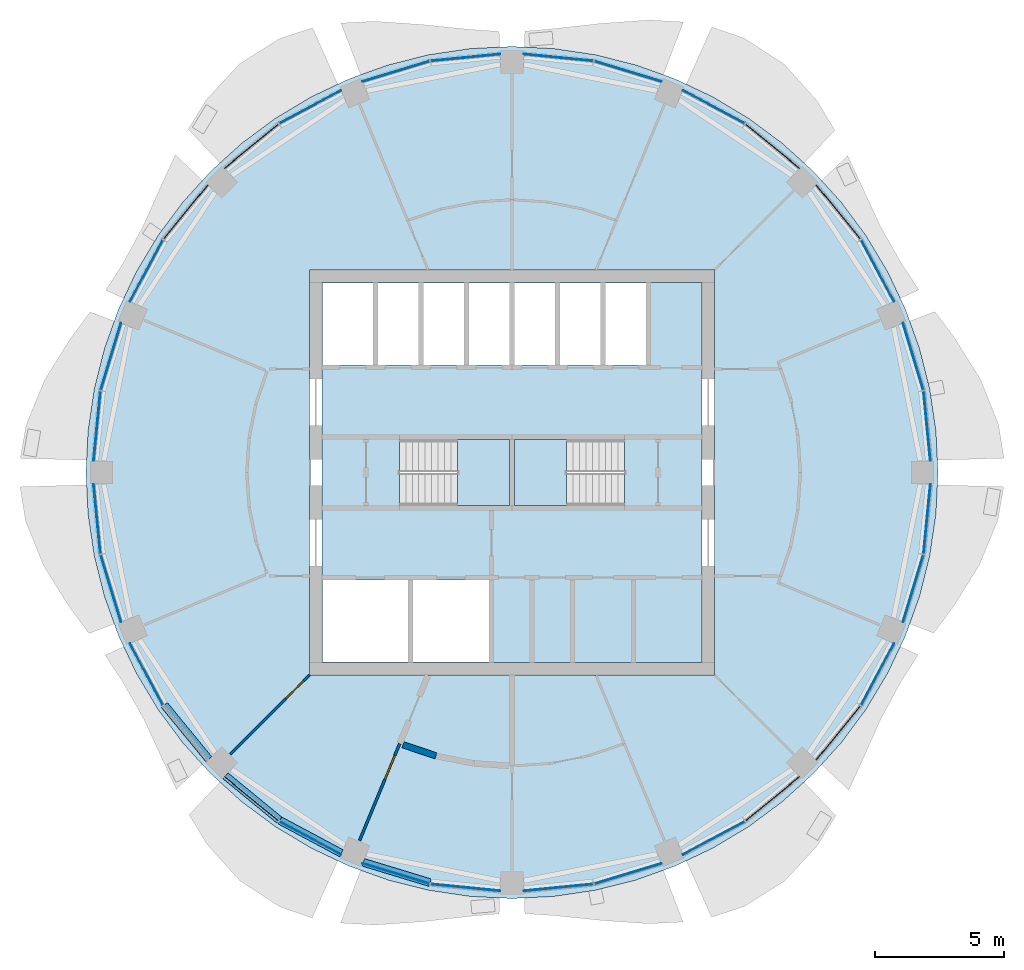
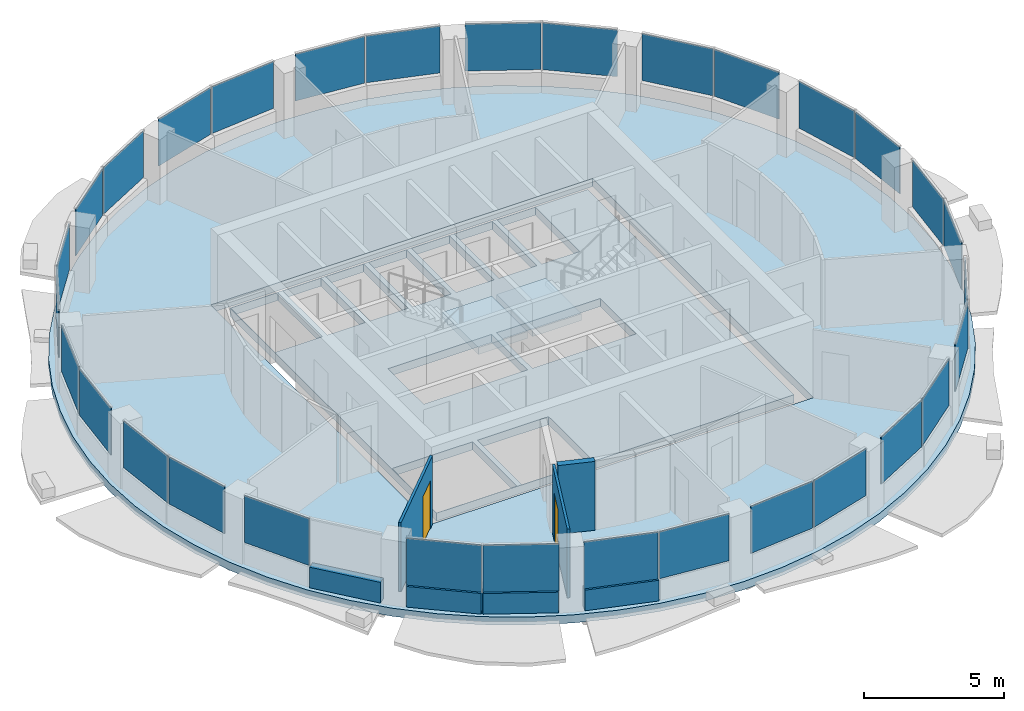
# One storey, part 7 of 15: 31 plates, 7 walls, 4 slabs, 2 doors, 2 openings, 18 elements without a shape of their own.
"""IFC4 building model written with IfcOpenShell, lengths in metres."""

from ifc_helpers import new_model, si_unit, direction, frame, frame_2d, origin, origin_2d, place, context, subcontext, project, spatial, polyline, rectangle, outline, extrude, material, layer, layer_set, type_object, element, fill, aggregate, save


model = new_model("IFC4")

# Units and contexts
model_context = context("Model", 3, precision=1e-05, world=origin(), true_north=direction((0.0, 1.0)))
body_context = subcontext(model_context, "Body", "Model", "MODEL_VIEW")
ifc_project = project(units=[si_unit("LENGTHUNIT", "METRE"), si_unit("AREAUNIT", "SQUARE_METRE"), si_unit("VOLUMEUNIT", "CUBIC_METRE"), si_unit("PLANEANGLEUNIT", "RADIAN"), si_unit("MASSUNIT", "GRAM", prefix="KILO")], contexts=[model_context])

# Site, building, storey
site_placement = place(None, origin())
site = spatial("IfcSite", under=ifc_project, at=site_placement, CompositionType="ELEMENT")
building_placement = place(site_placement, origin())
building = spatial("IfcBuilding", under=site, at=building_placement, Name="Polderwave Tower", CompositionType="ELEMENT")
storey_placement = place(building_placement, frame((0.0, 0.0, 211.10009765625)))
storey = spatial("IfcBuildingStorey", under=building, at=storey_placement, Name="L57", CompositionType="ELEMENT", Elevation=211.10009765625)

# Slab
ifc_material_1 = material(Name="Concrete C40/50", Category="concrete")
ifc_layer_1 = layer(ifc_material_1, 0.35009765625)
ifc_layer_set_1 = layer_set([ifc_layer_1], Name="Core floor slab 350")
slab_type_1 = type_object("IfcSlabType", Name="Core floor slab 350", PredefinedType="FLOOR", material=ifc_layer_set_1)
slab_1_placement = place(storey_placement, frame((0.0, 0.0, -0.35009765625)))
element("IfcSlab", 1, at=slab_1_placement, inside=storey, type_object=slab_type_1, Name="L57 core floor", PredefinedType="FLOOR", context=body_context, shape_type="SweptSolid", body=[
    extrude(outline(polyline([(-7.3740234375, -7.3740234375), (7.3740234375, -7.3740234375), (7.3740234375, 7.3740234375), (-7.3740234375, 7.3740234375), (-7.3740234375, -7.3740234375)]), holes=[polyline([(-7.35400390625, -7.35400390625), (-4.037109375, -7.35400390625), (-4.037109375, -4.174072265625), (-7.35400390625, -4.174072265625), (-7.35400390625, -7.35400390625)]), polyline([(-3.8369140625, -7.35400390625), (-0.89990234375, -7.35400390625), (-0.89990234375, -4.174072265625), (-3.8369140625, -4.174072265625), (-3.8369140625, -7.35400390625)]), polyline([(-7.35400390625, 4.174072265625), (-5.405517578125, 4.174072265625), (-5.405517578125, 7.35400390625), (-7.35400390625, 7.35400390625), (-7.35400390625, 4.174072265625)]), polyline([(-5.20556640625, 4.174072265625), (-3.636962890625, 4.174072265625), (-3.636962890625, 7.35400390625), (-5.20556640625, 7.35400390625), (-5.20556640625, 4.174072265625)]), polyline([(-3.43701171875, 4.174072265625), (-1.868408203125, 4.174072265625), (-1.868408203125, 7.35400390625), (-3.43701171875, 7.35400390625), (-3.43701171875, 4.174072265625)]), polyline([(-1.66845703125, 4.174072265625), (-0.10009765625, 4.174072265625), (-0.10009765625, 7.35400390625), (-1.66845703125, 7.35400390625), (-1.66845703125, 4.174072265625)]), polyline([(0.10009765625, 4.174072265625), (1.66845703125, 4.174072265625), (1.66845703125, 7.35400390625), (0.10009765625, 7.35400390625), (0.10009765625, 4.174072265625)]), polyline([(1.868408203125, 4.174072265625), (3.43701171875, 4.174072265625), (3.43701171875, 7.35400390625), (1.868408203125, 7.35400390625), (1.868408203125, 4.174072265625)]), polyline([(3.636962890625, 4.174072265625), (5.20556640625, 4.174072265625), (5.20556640625, 7.35400390625), (3.636962890625, 7.35400390625), (3.636962890625, 4.174072265625)]), polyline([(-4.37353515625, -1.2744140625), (-0.1005859375, -1.2744140625), (-0.1005859375, 1.2744140625), (-4.37353515625, 1.2744140625), (-4.37353515625, -1.2744140625)]), polyline([(0.1005859375, -1.2744140625), (4.37353515625, -1.2744140625), (4.37353515625, 1.2744140625), (0.1005859375, 1.2744140625), (0.1005859375, -1.2744140625)])]), origin(), (0.0, 0.0, 1.0), 0.35009765625),
])

# Curtain wall, plates
ifc_material_2 = material(Name="Aluminium 6063-T6 and glass", Category="aluminium")
curtain_wall_type = type_object("IfcCurtainWallType", Name="Office ribbon glazing wall", PredefinedType="NOTDEFINED", material=ifc_material_2)
curtain_wall_1_placement = place(storey_placement, origin())
curtain_wall_1 = element("IfcCurtainWall", 2, at=curtain_wall_1_placement, inside=storey, type_object=curtain_wall_type, Name="CW3 L57 00", PredefinedType="NOTDEFINED")
ifc_material_3 = material(Name="Glass, low-e laminated double glazing", Category="glass")
ifc_layer_2 = layer(ifc_material_3, 0.031982421875)
ifc_layer_set_2 = layer_set([ifc_layer_2], Name="Office ribbon glazing glass panel 32 mm")
plate_type = type_object("IfcPlateType", Name="Office ribbon glazing glass panel 32 mm", PredefinedType="CURTAIN_PANEL", material=ifc_layer_set_2)
plate_1_placement = place(storey_placement, frame((16.122802734375, 1.80126953125, 0.89990234375), z_axis=(0.0, 0.0, 1.0), x_axis=(-0.098060563362, 0.99518044892, 0.0)))
plate_1 = element("IfcPlate", 3, at=plate_1_placement, type_object=plate_type, Name="CW3 panel 1", PredefinedType="CURTAIN_PANEL", context=body_context, shape_type="SweptSolid", body=[
    extrude(rectangle(XDim=2.7158203125, YDim=0.031982421875, at=origin_2d()), origin(), (0.0, 0.0, 1.0), 2.0400390625),
])
plate_2_placement = place(storey_placement, frame((15.58447265625, 4.505615234375, 0.89990234375), z_axis=(0.0, 0.0, 1.0), x_axis=(-0.290523503373, 0.956867856074, 0.0)))
plate_2 = element("IfcPlate", 4, at=plate_2_placement, type_object=plate_type, Name="CW3 panel 2", PredefinedType="CURTAIN_PANEL", context=body_context, shape_type="SweptSolid", body=[
    extrude(rectangle(XDim=2.7158203125, YDim=0.031982421875, at=origin_2d()), origin(), (0.0, 0.0, 1.0), 2.0400390625),
])
aggregate(curtain_wall_1, [plate_1, plate_2])

curtain_wall_2_placement = place(storey_placement, origin())
curtain_wall_2 = element("IfcCurtainWall", 5, at=curtain_wall_2_placement, inside=storey, type_object=curtain_wall_type, Name="CW3 L57 01", PredefinedType="NOTDEFINED")
plate_3_placement = place(storey_placement, frame((14.2060546875, 7.83447265625, 0.89990234375), z_axis=(0.0, 0.0, 1.0), x_axis=(-0.471401354548, 0.881918796109, 0.0)))
plate_3 = element("IfcPlate", 6, at=plate_3_placement, type_object=plate_type, Name="CW3 panel 1", PredefinedType="CURTAIN_PANEL", context=body_context, shape_type="SweptSolid", body=[
    extrude(rectangle(XDim=2.71533203125, YDim=0.031982421875, at=origin_2d()), origin(), (0.0, 0.0, 1.0), 2.0400390625),
])
plate_4_placement = place(storey_placement, frame((12.67431640625, 10.126708984375, 0.89990234375), z_axis=(0.0, 0.0, 1.0), x_axis=(-0.634428361612, 0.772981664713, 0.0)))
plate_4 = element("IfcPlate", 7, at=plate_4_placement, type_object=plate_type, Name="CW3 panel 2", PredefinedType="CURTAIN_PANEL", context=body_context, shape_type="SweptSolid", body=[
    extrude(rectangle(XDim=2.715087890625, YDim=0.031982421875, at=origin_2d()), origin(), (0.0, 0.0, 1.0), 2.0400390625),
])
aggregate(curtain_wall_2, [plate_3, plate_4])

curtain_wall_3_placement = place(storey_placement, origin())
curtain_wall_3 = element("IfcCurtainWall", 8, at=curtain_wall_3_placement, inside=storey, type_object=curtain_wall_type, Name="CW3 L57 02", PredefinedType="NOTDEFINED")
plate_5_placement = place(storey_placement, frame((10.126708984375, 12.67431640625, 0.89990234375), z_axis=(0.0, 0.0, 1.0), x_axis=(-0.772981664713, 0.634428361612, 0.0)))
plate_5 = element("IfcPlate", 9, at=plate_5_placement, type_object=plate_type, Name="CW3 panel 1", PredefinedType="CURTAIN_PANEL", context=body_context, shape_type="SweptSolid", body=[
    extrude(rectangle(XDim=2.715087890625, YDim=0.031982421875, at=origin_2d()), origin(), (0.0, 0.0, 1.0), 2.0400390625),
])
plate_6_placement = place(storey_placement, frame((7.83447265625, 14.2060546875, 0.89990234375), z_axis=(0.0, 0.0, 1.0), x_axis=(-0.881918796109, 0.471401354548, 0.0)))
plate_6 = element("IfcPlate", 10, at=plate_6_placement, type_object=plate_type, Name="CW3 panel 2", PredefinedType="CURTAIN_PANEL", context=body_context, shape_type="SweptSolid", body=[
    extrude(rectangle(XDim=2.71533203125, YDim=0.031982421875, at=origin_2d()), origin(), (0.0, 0.0, 1.0), 2.0400390625),
])
aggregate(curtain_wall_3, [plate_5, plate_6])

curtain_wall_4_placement = place(storey_placement, origin())
curtain_wall_4 = element("IfcCurtainWall", 11, at=curtain_wall_4_placement, inside=storey, type_object=curtain_wall_type, Name="CW3 L57 03", PredefinedType="NOTDEFINED")
plate_7_placement = place(storey_placement, frame((4.505615234375, 15.58447265625, 0.89990234375), z_axis=(0.0, 0.0, 1.0), x_axis=(-0.956867856074, 0.290523503373, 0.0)))
plate_7 = element("IfcPlate", 12, at=plate_7_placement, type_object=plate_type, Name="CW3 panel 1", PredefinedType="CURTAIN_PANEL", context=body_context, shape_type="SweptSolid", body=[
    extrude(rectangle(XDim=2.7158203125, YDim=0.031982421875, at=origin_2d()), origin(), (0.0, 0.0, 1.0), 2.0400390625),
])
plate_8_placement = place(storey_placement, frame((1.80126953125, 16.122802734375, 0.89990234375), z_axis=(0.0, 0.0, 1.0), x_axis=(-0.99518044892, 0.098060563362, 0.0)))
plate_8 = element("IfcPlate", 13, at=plate_8_placement, type_object=plate_type, Name="CW3 panel 2", PredefinedType="CURTAIN_PANEL", context=body_context, shape_type="SweptSolid", body=[
    extrude(rectangle(XDim=2.7158203125, YDim=0.031982421875, at=origin_2d()), origin(), (0.0, 0.0, 1.0), 2.0400390625),
])
aggregate(curtain_wall_4, [plate_7, plate_8])

curtain_wall_5_placement = place(storey_placement, origin())
curtain_wall_5 = element("IfcCurtainWall", 14, at=curtain_wall_5_placement, inside=storey, type_object=curtain_wall_type, Name="CW3 L57 04", PredefinedType="NOTDEFINED")
plate_9_placement = place(storey_placement, frame((-1.80126953125, 16.122802734375, 0.89990234375), z_axis=(0.0, 0.0, 1.0), x_axis=(-0.99518044892, -0.098060563362, 0.0)))
plate_9 = element("IfcPlate", 15, at=plate_9_placement, type_object=plate_type, Name="CW3 panel 1", PredefinedType="CURTAIN_PANEL", context=body_context, shape_type="SweptSolid", body=[
    extrude(rectangle(XDim=2.7158203125, YDim=0.031982421875, at=origin_2d()), origin(), (0.0, 0.0, 1.0), 2.0400390625),
])
plate_10_placement = place(storey_placement, frame((-4.505615234375, 15.58447265625, 0.89990234375), z_axis=(0.0, 0.0, 1.0), x_axis=(-0.956867856074, -0.290523503373, 0.0)))
plate_10 = element("IfcPlate", 16, at=plate_10_placement, type_object=plate_type, Name="CW3 panel 2", PredefinedType="CURTAIN_PANEL", context=body_context, shape_type="SweptSolid", body=[
    extrude(rectangle(XDim=2.7158203125, YDim=0.031982421875, at=origin_2d()), origin(), (0.0, 0.0, 1.0), 2.0400390625),
])
aggregate(curtain_wall_5, [plate_9, plate_10])

curtain_wall_6_placement = place(storey_placement, origin())
curtain_wall_6 = element("IfcCurtainWall", 17, at=curtain_wall_6_placement, inside=storey, type_object=curtain_wall_type, Name="CW3 L57 05", PredefinedType="NOTDEFINED")
plate_11_placement = place(storey_placement, frame((-7.83447265625, 14.2060546875, 0.89990234375), z_axis=(0.0, 0.0, 1.0), x_axis=(-0.881918796109, -0.471401354548, 0.0)))
plate_11 = element("IfcPlate", 18, at=plate_11_placement, type_object=plate_type, Name="CW3 panel 1", PredefinedType="CURTAIN_PANEL", context=body_context, shape_type="SweptSolid", body=[
    extrude(rectangle(XDim=2.71533203125, YDim=0.031982421875, at=origin_2d()), origin(), (0.0, 0.0, 1.0), 2.0400390625),
])
plate_12_placement = place(storey_placement, frame((-10.126708984375, 12.67431640625, 0.89990234375), z_axis=(0.0, 0.0, 1.0), x_axis=(-0.772981664713, -0.634428361612, 0.0)))
plate_12 = element("IfcPlate", 19, at=plate_12_placement, type_object=plate_type, Name="CW3 panel 2", PredefinedType="CURTAIN_PANEL", context=body_context, shape_type="SweptSolid", body=[
    extrude(rectangle(XDim=2.715087890625, YDim=0.031982421875, at=origin_2d()), origin(), (0.0, 0.0, 1.0), 2.0400390625),
])
aggregate(curtain_wall_6, [plate_11, plate_12])

curtain_wall_7_placement = place(storey_placement, origin())
curtain_wall_7 = element("IfcCurtainWall", 20, at=curtain_wall_7_placement, inside=storey, type_object=curtain_wall_type, Name="CW3 L57 06", PredefinedType="NOTDEFINED")
plate_13_placement = place(storey_placement, frame((-12.67431640625, 10.126708984375, 0.89990234375), z_axis=(0.0, 0.0, 1.0), x_axis=(-0.634428361612, -0.772981664713, 0.0)))
plate_13 = element("IfcPlate", 21, at=plate_13_placement, type_object=plate_type, Name="CW3 panel 1", PredefinedType="CURTAIN_PANEL", context=body_context, shape_type="SweptSolid", body=[
    extrude(rectangle(XDim=2.715087890625, YDim=0.031982421875, at=origin_2d()), origin(), (0.0, 0.0, 1.0), 2.0400390625),
])
plate_14_placement = place(storey_placement, frame((-14.2060546875, 7.83447265625, 0.89990234375), z_axis=(0.0, 0.0, 1.0), x_axis=(-0.471401354548, -0.881918796109, 0.0)))
plate_14 = element("IfcPlate", 22, at=plate_14_placement, type_object=plate_type, Name="CW3 panel 2", PredefinedType="CURTAIN_PANEL", context=body_context, shape_type="SweptSolid", body=[
    extrude(rectangle(XDim=2.71533203125, YDim=0.031982421875, at=origin_2d()), origin(), (0.0, 0.0, 1.0), 2.0400390625),
])
aggregate(curtain_wall_7, [plate_13, plate_14])

curtain_wall_8_placement = place(storey_placement, origin())
curtain_wall_8 = element("IfcCurtainWall", 23, at=curtain_wall_8_placement, inside=storey, type_object=curtain_wall_type, Name="CW3 L57 07", PredefinedType="NOTDEFINED")
plate_15_placement = place(storey_placement, frame((-15.58447265625, 4.505615234375, 0.89990234375), z_axis=(0.0, 0.0, 1.0), x_axis=(-0.290523503373, -0.956867856074, 0.0)))
plate_15 = element("IfcPlate", 24, at=plate_15_placement, type_object=plate_type, Name="CW3 panel 1", PredefinedType="CURTAIN_PANEL", context=body_context, shape_type="SweptSolid", body=[
    extrude(rectangle(XDim=2.7158203125, YDim=0.031982421875, at=origin_2d()), origin(), (0.0, 0.0, 1.0), 2.0400390625),
])
plate_16_placement = place(storey_placement, frame((-16.122802734375, 1.80126953125, 0.89990234375), z_axis=(0.0, 0.0, 1.0), x_axis=(-0.098060563362, -0.99518044892, 0.0)))
plate_16 = element("IfcPlate", 25, at=plate_16_placement, type_object=plate_type, Name="CW3 panel 2", PredefinedType="CURTAIN_PANEL", context=body_context, shape_type="SweptSolid", body=[
    extrude(rectangle(XDim=2.7158203125, YDim=0.031982421875, at=origin_2d()), origin(), (0.0, 0.0, 1.0), 2.0400390625),
])
aggregate(curtain_wall_8, [plate_15, plate_16])

curtain_wall_9_placement = place(storey_placement, origin())
curtain_wall_9 = element("IfcCurtainWall", 26, at=curtain_wall_9_placement, inside=storey, type_object=curtain_wall_type, Name="CW3 L57 08", PredefinedType="NOTDEFINED")
plate_17_placement = place(storey_placement, frame((-16.122802734375, -1.80126953125, 0.89990234375), z_axis=(0.0, 0.0, 1.0), x_axis=(0.098060563362, -0.99518044892, 0.0)))
plate_17 = element("IfcPlate", 27, at=plate_17_placement, type_object=plate_type, Name="CW3 panel 1", PredefinedType="CURTAIN_PANEL", context=body_context, shape_type="SweptSolid", body=[
    extrude(rectangle(XDim=2.7158203125, YDim=0.031982421875, at=origin_2d()), origin(), (0.0, 0.0, 1.0), 2.0400390625),
])
plate_18_placement = place(storey_placement, frame((-15.58447265625, -4.505615234375, 0.89990234375), z_axis=(0.0, 0.0, 1.0), x_axis=(0.290523503373, -0.956867856074, 0.0)))
plate_18 = element("IfcPlate", 28, at=plate_18_placement, type_object=plate_type, Name="CW3 panel 2", PredefinedType="CURTAIN_PANEL", context=body_context, shape_type="SweptSolid", body=[
    extrude(rectangle(XDim=2.7158203125, YDim=0.031982421875, at=origin_2d()), origin(), (0.0, 0.0, 1.0), 2.0400390625),
])
aggregate(curtain_wall_9, [plate_17, plate_18])

# Curtain wall, plate
curtain_wall_10_placement = place(storey_placement, origin())
curtain_wall_10 = element("IfcCurtainWall", 29, at=curtain_wall_10_placement, inside=storey, type_object=curtain_wall_type, Name="CW3 L57 09", PredefinedType="NOTDEFINED")
plate_19_placement = place(storey_placement, frame((-14.2060546875, -7.83447265625, 0.89990234375), z_axis=(0.0, 0.0, 1.0), x_axis=(0.471401354548, -0.881918796109, 0.0)))
plate_19 = element("IfcPlate", 30, at=plate_19_placement, type_object=plate_type, Name="CW3 panel 1", PredefinedType="CURTAIN_PANEL", context=body_context, shape_type="SweptSolid", body=[
    extrude(rectangle(XDim=2.71533203125, YDim=0.031982421875, at=origin_2d()), origin(), (0.0, 0.0, 1.0), 2.0400390625),
])
aggregate(curtain_wall_10, [plate_19])

# Curtain wall, plates
curtain_wall_11_placement = place(storey_placement, origin())
curtain_wall_11 = element("IfcCurtainWall", 31, at=curtain_wall_11_placement, inside=storey, type_object=curtain_wall_type, Name="CW3 L57 10", PredefinedType="NOTDEFINED")
plate_20_placement = place(storey_placement, frame((-10.126708984375, -12.67431640625, 0.89990234375), z_axis=(0.0, 0.0, 1.0), x_axis=(0.772981664713, -0.634428361612, 0.0)))
plate_20 = element("IfcPlate", 32, at=plate_20_placement, type_object=plate_type, Name="CW3 panel 1", PredefinedType="CURTAIN_PANEL", context=body_context, shape_type="SweptSolid", body=[
    extrude(rectangle(XDim=2.715087890625, YDim=0.031982421875, at=origin_2d()), origin(), (0.0, 0.0, 1.0), 2.0400390625),
])
plate_21_placement = place(storey_placement, frame((-7.83447265625, -14.2060546875, 0.89990234375), z_axis=(0.0, 0.0, 1.0), x_axis=(0.881918796109, -0.471401354548, 0.0)))
plate_21 = element("IfcPlate", 33, at=plate_21_placement, type_object=plate_type, Name="CW3 panel 2", PredefinedType="CURTAIN_PANEL", context=body_context, shape_type="SweptSolid", body=[
    extrude(rectangle(XDim=2.71533203125, YDim=0.031982421875, at=origin_2d()), origin(), (0.0, 0.0, 1.0), 2.0400390625),
])
aggregate(curtain_wall_11, [plate_20, plate_21])

curtain_wall_12_placement = place(storey_placement, origin())
curtain_wall_12 = element("IfcCurtainWall", 34, at=curtain_wall_12_placement, inside=storey, type_object=curtain_wall_type, Name="CW3 L57 11", PredefinedType="NOTDEFINED")
plate_22_placement = place(storey_placement, frame((-4.505615234375, -15.58447265625, 0.89990234375), z_axis=(0.0, 0.0, 1.0), x_axis=(0.956867856074, -0.290523503373, 0.0)))
plate_22 = element("IfcPlate", 35, at=plate_22_placement, type_object=plate_type, Name="CW3 panel 1", PredefinedType="CURTAIN_PANEL", context=body_context, shape_type="SweptSolid", body=[
    extrude(rectangle(XDim=2.7158203125, YDim=0.031982421875, at=origin_2d()), origin(), (0.0, 0.0, 1.0), 2.0400390625),
])
plate_23_placement = place(storey_placement, frame((-1.80126953125, -16.122802734375, 0.89990234375), z_axis=(0.0, 0.0, 1.0), x_axis=(0.99518044892, -0.098060563362, 0.0)))
plate_23 = element("IfcPlate", 36, at=plate_23_placement, type_object=plate_type, Name="CW3 panel 2", PredefinedType="CURTAIN_PANEL", context=body_context, shape_type="SweptSolid", body=[
    extrude(rectangle(XDim=2.7158203125, YDim=0.031982421875, at=origin_2d()), origin(), (0.0, 0.0, 1.0), 2.0400390625),
])
aggregate(curtain_wall_12, [plate_22, plate_23])

curtain_wall_13_placement = place(storey_placement, origin())
curtain_wall_13 = element("IfcCurtainWall", 37, at=curtain_wall_13_placement, inside=storey, type_object=curtain_wall_type, Name="CW3 L57 12", PredefinedType="NOTDEFINED")
plate_24_placement = place(storey_placement, frame((1.80126953125, -16.122802734375, 0.89990234375), z_axis=(0.0, 0.0, 1.0), x_axis=(0.99518044892, 0.098060563362, 0.0)))
plate_24 = element("IfcPlate", 38, at=plate_24_placement, type_object=plate_type, Name="CW3 panel 1", PredefinedType="CURTAIN_PANEL", context=body_context, shape_type="SweptSolid", body=[
    extrude(rectangle(XDim=2.7158203125, YDim=0.031982421875, at=origin_2d()), origin(), (0.0, 0.0, 1.0), 2.0400390625),
])
plate_25_placement = place(storey_placement, frame((4.505615234375, -15.58447265625, 0.89990234375), z_axis=(0.0, 0.0, 1.0), x_axis=(0.956867856074, 0.290523503373, 0.0)))
plate_25 = element("IfcPlate", 39, at=plate_25_placement, type_object=plate_type, Name="CW3 panel 2", PredefinedType="CURTAIN_PANEL", context=body_context, shape_type="SweptSolid", body=[
    extrude(rectangle(XDim=2.7158203125, YDim=0.031982421875, at=origin_2d()), origin(), (0.0, 0.0, 1.0), 2.0400390625),
])
aggregate(curtain_wall_13, [plate_24, plate_25])

curtain_wall_14_placement = place(storey_placement, origin())
curtain_wall_14 = element("IfcCurtainWall", 40, at=curtain_wall_14_placement, inside=storey, type_object=curtain_wall_type, Name="CW3 L57 13", PredefinedType="NOTDEFINED")
plate_26_placement = place(storey_placement, frame((7.83447265625, -14.2060546875, 0.89990234375), z_axis=(0.0, 0.0, 1.0), x_axis=(0.881918796109, 0.471401354548, 0.0)))
plate_26 = element("IfcPlate", 41, at=plate_26_placement, type_object=plate_type, Name="CW3 panel 1", PredefinedType="CURTAIN_PANEL", context=body_context, shape_type="SweptSolid", body=[
    extrude(rectangle(XDim=2.71533203125, YDim=0.031982421875, at=origin_2d()), origin(), (0.0, 0.0, 1.0), 2.0400390625),
])
plate_27_placement = place(storey_placement, frame((10.126708984375, -12.67431640625, 0.89990234375), z_axis=(0.0, 0.0, 1.0), x_axis=(0.772981664713, 0.634428361612, 0.0)))
plate_27 = element("IfcPlate", 42, at=plate_27_placement, type_object=plate_type, Name="CW3 panel 2", PredefinedType="CURTAIN_PANEL", context=body_context, shape_type="SweptSolid", body=[
    extrude(rectangle(XDim=2.715087890625, YDim=0.031982421875, at=origin_2d()), origin(), (0.0, 0.0, 1.0), 2.0400390625),
])
aggregate(curtain_wall_14, [plate_26, plate_27])

curtain_wall_15_placement = place(storey_placement, origin())
curtain_wall_15 = element("IfcCurtainWall", 43, at=curtain_wall_15_placement, inside=storey, type_object=curtain_wall_type, Name="CW3 L57 14", PredefinedType="NOTDEFINED")
plate_28_placement = place(storey_placement, frame((12.67431640625, -10.126708984375, 0.89990234375), z_axis=(0.0, 0.0, 1.0), x_axis=(0.634428361612, 0.772981664713, 0.0)))
plate_28 = element("IfcPlate", 44, at=plate_28_placement, type_object=plate_type, Name="CW3 panel 1", PredefinedType="CURTAIN_PANEL", context=body_context, shape_type="SweptSolid", body=[
    extrude(rectangle(XDim=2.715087890625, YDim=0.031982421875, at=origin_2d()), origin(), (0.0, 0.0, 1.0), 2.0400390625),
])
plate_29_placement = place(storey_placement, frame((14.2060546875, -7.83447265625, 0.89990234375), z_axis=(0.0, 0.0, 1.0), x_axis=(0.471401354548, 0.881918796109, 0.0)))
plate_29 = element("IfcPlate", 45, at=plate_29_placement, type_object=plate_type, Name="CW3 panel 2", PredefinedType="CURTAIN_PANEL", context=body_context, shape_type="SweptSolid", body=[
    extrude(rectangle(XDim=2.71533203125, YDim=0.031982421875, at=origin_2d()), origin(), (0.0, 0.0, 1.0), 2.0400390625),
])
aggregate(curtain_wall_15, [plate_28, plate_29])

curtain_wall_16_placement = place(storey_placement, origin())
curtain_wall_16 = element("IfcCurtainWall", 46, at=curtain_wall_16_placement, inside=storey, type_object=curtain_wall_type, Name="CW3 L57 15", PredefinedType="NOTDEFINED")
plate_30_placement = place(storey_placement, frame((15.58447265625, -4.505615234375, 0.89990234375), z_axis=(0.0, 0.0, 1.0), x_axis=(0.290523503373, 0.956867856074, 0.0)))
plate_30 = element("IfcPlate", 47, at=plate_30_placement, type_object=plate_type, Name="CW3 panel 1", PredefinedType="CURTAIN_PANEL", context=body_context, shape_type="SweptSolid", body=[
    extrude(rectangle(XDim=2.7158203125, YDim=0.031982421875, at=origin_2d()), origin(), (0.0, 0.0, 1.0), 2.0400390625),
])
plate_31_placement = place(storey_placement, frame((16.122802734375, -1.80126953125, 0.89990234375), z_axis=(0.0, 0.0, 1.0), x_axis=(0.098060563362, 0.99518044892, 0.0)))
plate_31 = element("IfcPlate", 48, at=plate_31_placement, type_object=plate_type, Name="CW3 panel 2", PredefinedType="CURTAIN_PANEL", context=body_context, shape_type="SweptSolid", body=[
    extrude(rectangle(XDim=2.7158203125, YDim=0.031982421875, at=origin_2d()), origin(), (0.0, 0.0, 1.0), 2.0400390625),
])
aggregate(curtain_wall_16, [plate_30, plate_31])

# Slab
ifc_layer_3 = layer(ifc_material_1, 0.35009765625)
ifc_layer_set_3 = layer_set([ifc_layer_3], Name="PT FLOOR SLAB 350 C40/50")
slab_type_2 = type_object("IfcSlabType", Name="PT FLOOR SLAB 350 C40/50", PredefinedType="FLOOR", material=ifc_layer_set_3)
slab_2_placement = place(storey_placement, frame((0.0, 0.0, -0.35009765625)))
element("IfcSlab", 49, at=slab_2_placement, inside=storey, type_object=slab_type_2, Name="ST-SLAB-L57", PredefinedType="FLOOR", context=body_context, shape_type="SweptSolid", body=[
    extrude(outline(polyline([(16.550048828125, 0.0), (16.47021484375, 1.622314453125), (16.23193359375, 3.228759765625), (15.83740234375, 4.80419921875), (15.290283203125, 6.33349609375), (14.595703125, 7.801513671875), (13.7607421875, 9.194580078125), (12.793212890625, 10.499267578125), (11.70263671875, 11.70263671875), (10.499267578125, 12.793212890625), (9.194580078125, 13.7607421875), (7.801513671875, 14.595703125), (6.33349609375, 15.290283203125), (4.80419921875, 15.83740234375), (3.228759765625, 16.23193359375), (1.622314453125, 16.47021484375), (0.0, 16.550048828125), (-1.622314453125, 16.47021484375), (-3.228759765625, 16.23193359375), (-4.80419921875, 15.83740234375), (-6.33349609375, 15.290283203125), (-7.801513671875, 14.595703125), (-9.194580078125, 13.7607421875), (-10.499267578125, 12.793212890625), (-11.70263671875, 11.70263671875), (-12.793212890625, 10.499267578125), (-13.7607421875, 9.194580078125), (-14.595703125, 7.801513671875), (-15.290283203125, 6.33349609375), (-15.83740234375, 4.80419921875), (-16.23193359375, 3.228759765625), (-16.47021484375, 1.622314453125), (-16.550048828125, 0.0), (-16.47021484375, -1.622314453125), (-16.23193359375, -3.228759765625), (-15.83740234375, -4.80419921875), (-15.290283203125, -6.33349609375), (-14.595703125, -7.801513671875), (-13.7607421875, -9.194580078125), (-12.793212890625, -10.499267578125), (-11.70263671875, -11.70263671875), (-10.499267578125, -12.793212890625), (-9.194580078125, -13.7607421875), (-7.801513671875, -14.595703125), (-6.33349609375, -15.290283203125), (-4.80419921875, -15.83740234375), (-3.228759765625, -16.23193359375), (-1.622314453125, -16.47021484375), (0.0, -16.550048828125), (1.622314453125, -16.47021484375), (3.228759765625, -16.23193359375), (4.80419921875, -15.83740234375), (6.33349609375, -15.290283203125), (7.801513671875, -14.595703125), (9.194580078125, -13.7607421875), (10.499267578125, -12.793212890625), (11.70263671875, -11.70263671875), (12.793212890625, -10.499267578125), (13.7607421875, -9.194580078125), (14.595703125, -7.801513671875), (15.290283203125, -6.33349609375), (15.83740234375, -4.80419921875), (16.23193359375, -3.228759765625), (16.47021484375, -1.622314453125), (16.550048828125, 0.0)]), holes=[polyline([(-7.8740234375, -7.8740234375), (7.8740234375, -7.8740234375), (7.8740234375, 7.8740234375), (-7.8740234375, 7.8740234375), (-7.8740234375, -7.8740234375)])]), origin(), (0.0, 0.0, 1.0), 0.35009765625),
])

# Stair, slab
stair_type = type_object("IfcStairType", Name="Exit stair 1200 x 20 risers", PredefinedType="HALF_TURN_STAIR", material=ifc_material_1)
stair_1_placement = place(storey_placement, origin())
stair_1 = element("IfcStair", 50, at=stair_1_placement, inside=storey, type_object=stair_type, Name="L57 Exit stair A", PredefinedType="HALF_TURN_STAIR")
ifc_layer_4 = layer(ifc_material_1, 0.300048828125)
ifc_layer_set_4 = layer_set([ifc_layer_4], Name="Stair landing 300")
slab_type_3 = type_object("IfcSlabType", Name="Stair landing 300", PredefinedType="LANDING", material=ifc_layer_set_4)
slab_3_placement = place(storey_placement, frame((0.0, 0.0, 1.375)))
slab_3 = element("IfcSlab", 51, at=slab_3_placement, type_object=slab_type_3, Name="ST-A landing 1", PredefinedType="LANDING", context=body_context, shape_type="SweptSolid", body=[
    extrude(outline(polyline([(-2.1240234375, -1.27490234375), (-0.10009765625, -1.27490234375), (-0.10009765625, 1.27490234375), (-2.1240234375, 1.27490234375), (-2.1240234375, -1.27490234375)])), origin(), (0.0, 0.0, 1.0), 0.2998046875),
])
aggregate(stair_1, [slab_3])

stair_2_placement = place(storey_placement, origin())
stair_2 = element("IfcStair", 52, at=stair_2_placement, inside=storey, type_object=stair_type, Name="L57 Exit stair B", PredefinedType="HALF_TURN_STAIR")
slab_4_placement = place(storey_placement, frame((0.0, 0.0, 1.375)))
slab_4 = element("IfcSlab", 53, at=slab_4_placement, type_object=slab_type_3, Name="ST-B landing 1", PredefinedType="LANDING", context=body_context, shape_type="SweptSolid", body=[
    extrude(outline(polyline([(2.1240234375, 1.27490234375), (0.10009765625, 1.27490234375), (0.10009765625, -1.27490234375), (2.1240234375, -1.27490234375), (2.1240234375, 1.27490234375)])), origin(), (0.0, 0.0, 1.0), 0.2998046875),
])
aggregate(stair_2, [slab_4])

# Walls
ifc_material_4 = material(Name="Concrete C50/60 (board-marked)", Category="concrete")
ifc_layer_5 = layer(ifc_material_4, 0.300048828125)
ifc_layer_set_5 = layer_set([ifc_layer_5], Name="Concrete spandrel upstand C50/60")
wall_type_1 = type_object("IfcWallType", Name="Concrete spandrel upstand C50/60", PredefinedType="SOLIDWALL", material=ifc_layer_set_5)
for number, where, z_axis, x_axis, name in (
    (54, (-13.50146484375, -9.03955078125, 0.0), (0.0, 0.0, 1.0), (0.634161642253, -0.773200498897, 0.0), "Spandrel L57 10b"),
    (55, (-11.13037109375, -11.78662109375, 0.0), (0.0, 0.0, 1.0), (0.773200498897, -0.634161642253, 0.0), "Spandrel L57 11a"),
    (56, (-9.014892578125, -13.51806640625, 0.0), (0.0, 0.0, 1.0), (0.881887660835, -0.471459599189, 0.0), "Spandrel L57 11b"),
):
    element("IfcWall", number, at=place(storey_placement, frame(where, z_axis=z_axis, x_axis=x_axis)), inside=storey, type_object=wall_type_1, Name=name, PredefinedType="SOLIDWALL", context=body_context, shape_type="SweptSolid", body=[
        extrude(rectangle(XDim=2.7041015625, YDim=0.300048828125, at=frame_2d((1.35205078125, 0.0))), origin(), (0.0, 0.0, 1.0), 0.89990234375),
    ])
wall_1_placement = place(storey_placement, frame((-5.772705078125, -15.1474609375, 0.0), z_axis=(0.0, 0.0, 1.0), x_axis=(0.956842043529, -0.290608505958, 0.0)))
element("IfcWall", 57, at=wall_1_placement, inside=storey, type_object=wall_type_1, Name="Spandrel L57 12a", PredefinedType="SOLIDWALL", context=body_context, shape_type="SweptSolid", body=[
    extrude(rectangle(XDim=2.705078125, YDim=0.300048828125, at=frame_2d((1.3525390625, 0.0))), origin(), (0.0, 0.0, 1.0), 0.89990234375),
])

# Wall, opening, door
ifc_material_5 = material(Name="Plasterboard on steel studs", Category="steel")
ifc_layer_6 = layer(ifc_material_5, 0.10009765625)
ifc_layer_set_6 = layer_set([ifc_layer_6], Name="Partition 100 mm plasterboard on steel studs")
wall_type_2 = type_object("IfcWallType", Name="Partition 100 mm plasterboard on steel studs", PredefinedType="PARTITIONING", material=ifc_layer_set_6)
wall_2_placement = place(storey_placement, frame((-7.8740234375, -7.8740234375, 0.0), z_axis=(0.0, 0.0, 1.0), x_axis=(-0.707106781187, -0.707106781187, 0.0)))
wall_2 = element("IfcWall", 58, at=wall_2_placement, inside=storey, type_object=wall_type_2, Name="IN-L57-W036", PredefinedType="PARTITIONING", context=body_context, shape_type="SweptSolid", body=[
    extrude(rectangle(XDim=4.33447265625, YDim=0.10009765625, at=frame_2d((2.167236328125, 0.0))), origin(), (0.0, 0.0, 1.0), 3.0),
])
opening_1_placement = place(wall_2_placement, frame((0.300048828125, 0.0, 0.0)))
opening_1 = element("IfcOpeningElement", 59, at=opening_1_placement, cuts=wall_2, Name="Opening L57-D61", PredefinedType="OPENING", context=body_context, shape_type="SweptSolid", body=[
    extrude(rectangle(XDim=1.0, YDim=2.10009765625, at=frame_2d((0.5, 1.050048828125))), frame((0.0, 0.06005859375, 0.0), z_axis=(0.0, -1.0, 0.0), x_axis=(1.0, 0.0, 0.0)), (0.0, 0.0, 1.0), 0.1201171875),
])
ifc_material_6 = material(Name="Timber veneer door leaf", Category="wood")
door_type = type_object("IfcDoorType", Name="Single door 1000 x 2100", OperationType="NOTDEFINED", PredefinedType="DOOR", material=ifc_material_6)
door_1_placement = place(opening_1_placement, origin())
door_1 = element("IfcDoor", 60, at=door_1_placement, inside=storey, type_object=door_type, Name="Door L57-D61", OperationType="SINGLE_SWING_LEFT", OverallHeight=2.10009765625, OverallWidth=1.0, PredefinedType="DOOR", context=body_context, shape_type="SweptSolid", body=[
    extrude(rectangle(XDim=1.0, YDim=2.10009765625, at=frame_2d((0.5, 1.050048828125))), frame((0.0, 0.02490234375, 0.0), z_axis=(0.0, -1.0, 0.0), x_axis=(1.0, 0.0, 0.0)), (0.0, 0.0, 1.0), 0.050048828125),
])
fill(opening_1, door_1)

wall_3_placement = place(storey_placement, frame((-4.362548828125, -10.5322265625, 0.0), z_axis=(0.0, 0.0, 1.0), x_axis=(-0.382697907061, -0.923873536763, 0.0)))
wall_3 = element("IfcWall", 61, at=wall_3_placement, inside=storey, type_object=wall_type_2, Name="IN-L57-W038", PredefinedType="PARTITIONING", context=body_context, shape_type="SweptSolid", body=[
    extrude(rectangle(XDim=4.070068359375, YDim=0.10009765625, at=frame_2d((2.03515625, 0.0))), origin(), (0.0, 0.0, 1.0), 3.0),
])
opening_2_placement = place(wall_3_placement, frame((0.5, 0.0, 0.0)))
opening_2 = element("IfcOpeningElement", 62, at=opening_2_placement, cuts=wall_3, Name="Opening L57-D63", PredefinedType="OPENING", context=body_context, shape_type="SweptSolid", body=[
    extrude(rectangle(XDim=1.0, YDim=2.10009765625, at=frame_2d((0.5, 1.050048828125))), frame((0.0, 0.06005859375, 0.0), z_axis=(0.0, -1.0, 0.0), x_axis=(1.0, 0.0, 0.0)), (0.0, 0.0, 1.0), 0.1201171875),
])
door_2_placement = place(opening_2_placement, origin())
door_2 = element("IfcDoor", 63, at=door_2_placement, inside=storey, type_object=door_type, Name="Door L57-D63", OperationType="SINGLE_SWING_LEFT", OverallHeight=2.10009765625, OverallWidth=1.0, PredefinedType="DOOR", context=body_context, shape_type="SweptSolid", body=[
    extrude(rectangle(XDim=1.0, YDim=2.10009765625, at=frame_2d((0.5, 1.050048828125))), frame((0.0, 0.02490234375, 0.0), z_axis=(0.0, -1.0, 0.0), x_axis=(1.0, 0.0, 0.0)), (0.0, 0.0, 1.0), 0.050048828125),
])
fill(opening_2, door_2)

# Wall
ifc_material_7 = material(Name="Fire-resisting board on steel studs, mineral wool", Category="steel")
ifc_layer_7 = layer(ifc_material_7, 0.25)
ifc_layer_set_7 = layer_set([ifc_layer_7], Name="Plant room wall 250 mm EI 120")
wall_type_3 = type_object("IfcWallType", Name="Plant room wall 250 mm EI 120", PredefinedType="PARTITIONING", material=ifc_layer_set_7)
wall_4_placement = place(storey_placement, frame((-2.958251953125, -11.009033203125, 0.0), z_axis=(0.0, 0.0, 1.0), x_axis=(-0.946913805822, 0.321487549283, 0.0)))
element("IfcWall", 64, at=wall_4_placement, inside=storey, type_object=wall_type_3, Name="IN-L57-W039", PredefinedType="PARTITIONING", context=body_context, shape_type="SweptSolid", body=[
    extrude(rectangle(XDim=1.349365234375, YDim=0.25, at=frame_2d((0.6748046875, 0.0))), origin(), (0.0, 0.0, 1.0), 3.0),
])

save(model, "model.ifc")
